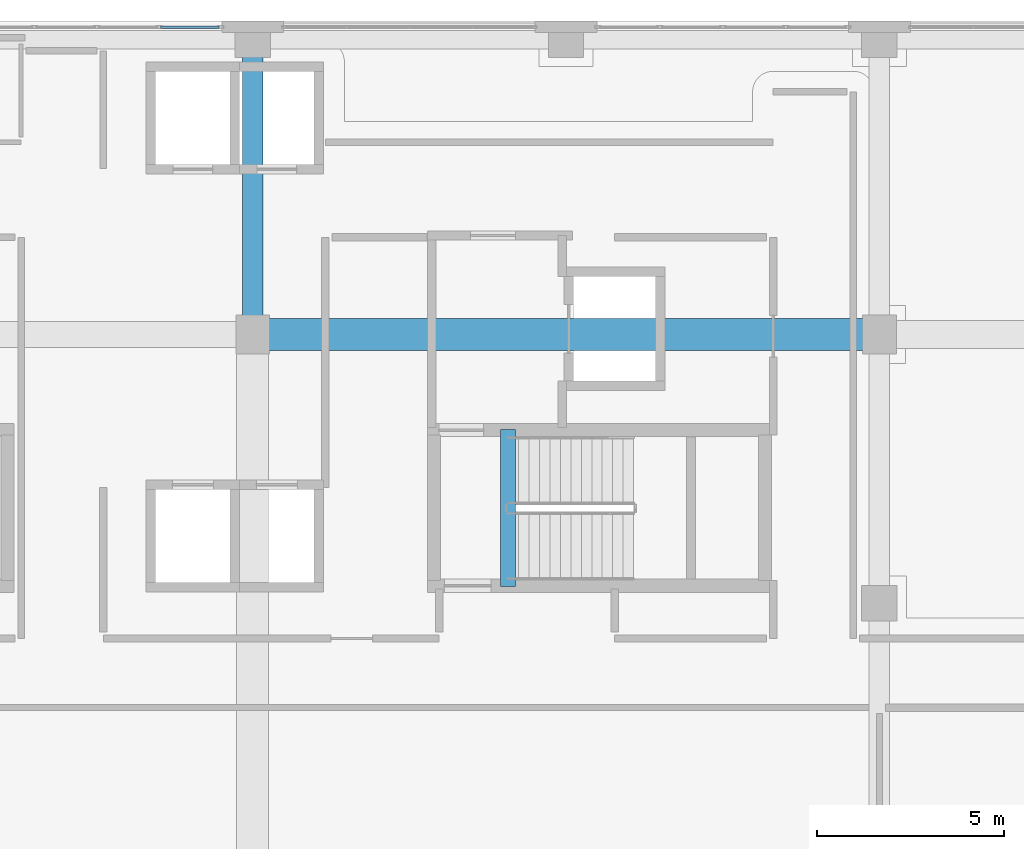
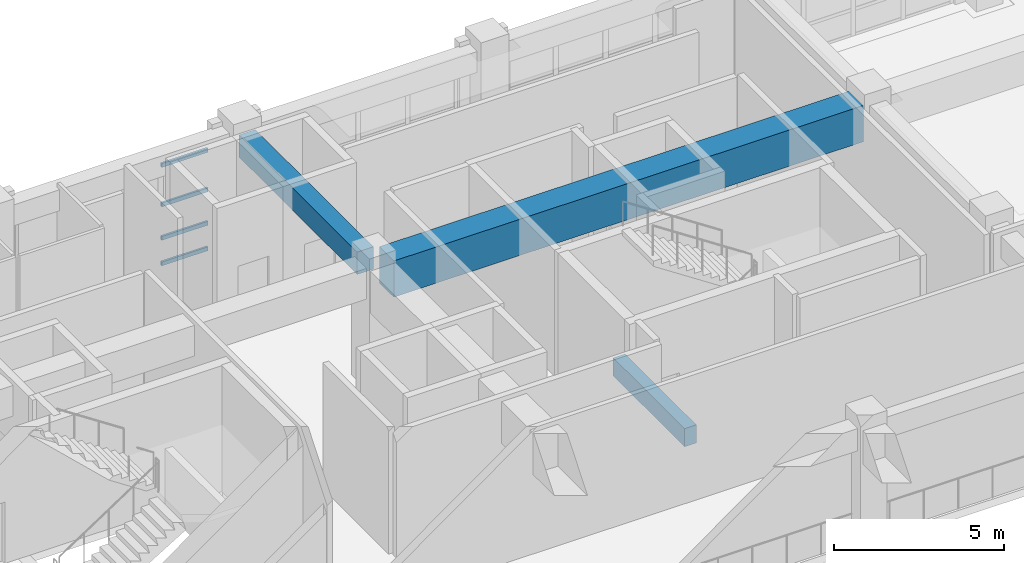
# One storey, part 47 of 123: 4 members, 3 beams, 1 element without a shape of its own.
"""IFC4 building model written with IfcOpenShell, lengths in metres."""

from ifc_helpers import new_model, si_unit, direction, frame, origin, origin_2d, place, context, subcontext, project, spatial, rectangle, hollow_rectangle, extrude, material, layer, layer_set, material_profile, profile_set, type_object, element, aggregate, save


model = new_model("IFC4")

# Units and contexts
model_context = context("Model", 3, precision=1e-05, world=origin(), true_north=direction((0.0, 1.0)))
body_context = subcontext(model_context, "Body", "Model", "MODEL_VIEW")
ifc_project = project(units=[si_unit("LENGTHUNIT", "METRE"), si_unit("AREAUNIT", "SQUARE_METRE"), si_unit("VOLUMEUNIT", "CUBIC_METRE"), si_unit("PLANEANGLEUNIT", "RADIAN"), si_unit("MASSUNIT", "GRAM", prefix="KILO")], contexts=[model_context])

# Site, building, storey
site_placement = place(None, origin())
site = spatial("IfcSite", under=ifc_project, at=site_placement, CompositionType="ELEMENT")
building_placement = place(site_placement, origin())
building = spatial("IfcBuilding", under=site, at=building_placement, Name="Quendrovan Civic Courthouse", CompositionType="ELEMENT")
storey_placement = place(building_placement, frame((0.0, 0.0, 5.39990234375)))
storey = spatial("IfcBuildingStorey", under=building, at=storey_placement, Name="L02", CompositionType="ELEMENT", Elevation=5.39990234375)

# Beams
ifc_material_1 = material(Name="Post-tensioned concrete C50/60", Category="concrete")
ifc_material_profile_1 = material_profile(ifc_material_1, rectangle(XDim=0.85009765625, YDim=1.300048828125, at=origin_2d()), Name="PT-GRD-850x1300")
ifc_profile_set_1 = profile_set([ifc_material_profile_1], Name="Post-tensioned concrete C50/60")
beam_type_1 = type_object("IfcBeamType", Name="BM-PT1300", PredefinedType="BEAM", material=ifc_profile_set_1)
beam_1_placement = place(storey_placement, frame((50.830078125, 102.0, 3.710205078125), z_axis=(1.0, 0.0, 0.0), x_axis=(0.0, 1.0, 0.0)))
element("IfcBeam", 1, at=beam_1_placement, inside=storey, type_object=beam_type_1, Name="L02 Girder X0577", PredefinedType="BEAM", context=body_context, shape_type="SweptSolid", body=[
    extrude(rectangle(XDim=0.85009765625, YDim=1.300048828125, at=origin_2d()), origin(), (0.0, 0.0, 1.0), 15.93994140625),
])
ifc_material_2 = material(Name="Concrete C40/50", Category="concrete")
ifc_material_profile_2 = material_profile(ifc_material_2, rectangle(XDim=0.39990234375, YDim=0.64990234375, at=origin_2d()), Name="RC-BM-400x650")
ifc_profile_set_2 = profile_set([ifc_material_profile_2], Name="Concrete C40/50")
beam_type_2 = type_object("IfcBeamType", Name="BM-RC650", PredefinedType="JOIST", material=ifc_profile_set_2)
beam_2_placement = place(storey_placement, frame((57.25, 95.25, -0.324951171875), z_axis=(0.0, 1.0, 0.0), x_axis=(-1.0, 0.0, 0.0)))
element("IfcBeam", 2, at=beam_2_placement, inside=storey, type_object=beam_type_2, Name="L02 Stair ST2 Landing Trimmer Beam", PredefinedType="JOIST", context=body_context, shape_type="SweptSolid", body=[
    extrude(rectangle(XDim=0.39990234375, YDim=0.64990234375, at=origin_2d()), origin(), (0.0, 0.0, 1.0), 4.199951171875),
])
ifc_material_profile_3 = material_profile(ifc_material_2, rectangle(XDim=0.550048828125, YDim=0.800048828125, at=origin_2d()), Name="RC-BM-550x800")
ifc_profile_set_3 = profile_set([ifc_material_profile_3], Name="Concrete C40/50")
beam_type_3 = type_object("IfcBeamType", Name="BM-RC800", PredefinedType="BEAM", material=ifc_profile_set_3)
beam_3_placement = place(storey_placement, frame((50.39990234375, 102.5048828125, 3.960205078125), z_axis=(0.0, 1.0, 0.0), x_axis=(-1.0, 0.0, 0.0)))
element("IfcBeam", 3, at=beam_3_placement, inside=storey, type_object=beam_type_3, Name="L02 Girder Y0654", PredefinedType="BEAM", context=body_context, shape_type="SweptSolid", body=[
    extrude(rectangle(XDim=0.550048828125, YDim=0.800048828125, at=origin_2d()), origin(), (0.0, 0.0, 1.0), 6.940185546875),
])

# Curtain wall, members
ifc_material_3 = material(Name="Bronze anodised aluminium and low-E glass", Category="aluminium")
ifc_layer = layer(ifc_material_3, 0.179931640625, Name="Bronze anodised aluminium and low-E glass")
ifc_layer_set = layer_set([ifc_layer], Name="Bronze anodised aluminium and low-E glass")
curtain_wall_type = type_object("IfcCurtainWallType", Name="CW-U67x36", PredefinedType="USERDEFINED", material=ifc_layer_set)
curtain_wall_placement = place(storey_placement, origin())
curtain_wall = element("IfcCurtainWall", 4, at=curtain_wall_placement, inside=storey, type_object=curtain_wall_type, Name="L02 Unitised Hurricane Curtain Wall CW-082", ObjectType="UNITISED CURTAIN WALL", PredefinedType="USERDEFINED")
ifc_material_4 = material(Name="Bronze anodised aluminium", Category="aluminium")
ifc_material_profile_4 = material_profile(ifc_material_4, hollow_rectangle(XDim=0.070068359375, YDim=0.139892578125, WallThickness=0.00390625, at=origin_2d()), Name="CW-TRAN-70x140")
ifc_profile_set_4 = profile_set([ifc_material_profile_4], Name="Bronze anodised aluminium")
member_type = type_object("IfcMemberType", Name="CW-TRAN-A", PredefinedType="USERDEFINED", material=ifc_profile_set_4)
member_1_placement = place(storey_placement, frame((47.93505859375, 110.235107421875, 0.03515625), z_axis=(1.0, 0.0, 0.0), x_axis=(0.0, 1.0, 0.0)))
member_1 = element("IfcMember", 5, at=member_1_placement, type_object=member_type, Name="CW-082 transom 4.1", ObjectType="TRANSOM", PredefinedType="USERDEFINED", context=body_context, shape_type="SweptSolid", body=[
    extrude(hollow_rectangle(XDim=0.070068359375, YDim=0.139892578125, WallThickness=0.00390625, at=origin_2d()), origin(), (0.0, 0.0, 1.0), 1.56982421875),
])
member_2_placement = place(storey_placement, frame((47.93505859375, 110.235107421875, 0.9501953125), z_axis=(1.0, 0.0, 0.0), x_axis=(0.0, 1.0, 0.0)))
member_2 = element("IfcMember", 6, at=member_2_placement, type_object=member_type, Name="CW-082 transom 4.2", ObjectType="TRANSOM", PredefinedType="USERDEFINED", context=body_context, shape_type="SweptSolid", body=[
    extrude(hollow_rectangle(XDim=0.070068359375, YDim=0.139892578125, WallThickness=0.00390625, at=origin_2d()), origin(), (0.0, 0.0, 1.0), 1.56982421875),
])
member_3_placement = place(storey_placement, frame((47.93505859375, 110.235107421875, 2.150146484375), z_axis=(1.0, 0.0, 0.0), x_axis=(0.0, 1.0, 0.0)))
member_3 = element("IfcMember", 7, at=member_3_placement, type_object=member_type, Name="CW-082 transom 4.3", ObjectType="TRANSOM", PredefinedType="USERDEFINED", context=body_context, shape_type="SweptSolid", body=[
    extrude(hollow_rectangle(XDim=0.070068359375, YDim=0.139892578125, WallThickness=0.00390625, at=origin_2d()), origin(), (0.0, 0.0, 1.0), 1.56982421875),
])
member_4_placement = place(storey_placement, frame((47.93505859375, 110.235107421875, 3.565185546875), z_axis=(1.0, 0.0, 0.0), x_axis=(0.0, 1.0, 0.0)))
member_4 = element("IfcMember", 8, at=member_4_placement, type_object=member_type, Name="CW-082 transom 4.4", ObjectType="TRANSOM", PredefinedType="USERDEFINED", context=body_context, shape_type="SweptSolid", body=[
    extrude(hollow_rectangle(XDim=0.070068359375, YDim=0.139892578125, WallThickness=0.00390625, at=origin_2d()), origin(), (0.0, 0.0, 1.0), 1.56982421875),
])
aggregate(curtain_wall, [member_1, member_2, member_3, member_4])

save(model, "model.ifc")
